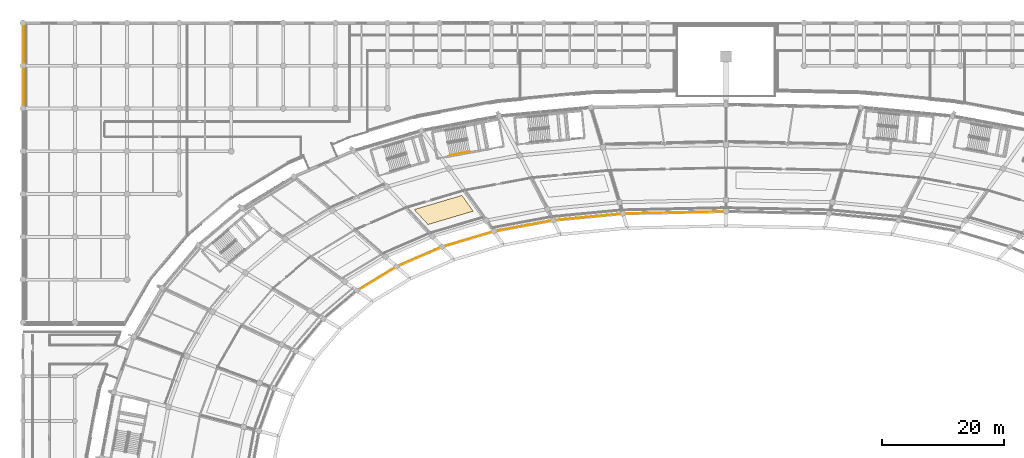
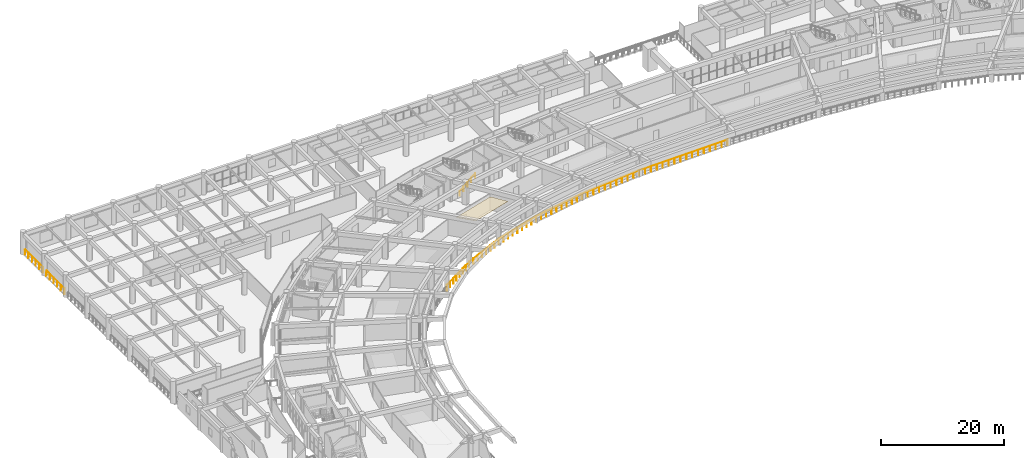
# One storey, part 139 of 145: 4 railings, 1 covering.
"""IFC4 building model written with IfcOpenShell, lengths in metres."""

from ifc_helpers import new_model, si_unit, direction, frame, origin, origin_2d, place, context, subcontext, project, spatial, polyline, circle, outline, extrude, material, layer, layer_set, type_object, element, save


model = new_model("IFC4")

# Units and contexts
model_context = context("Model", 3, precision=1e-05, world=origin(), true_north=direction((0.0, 1.0)))
body_context = subcontext(model_context, "Body", "Model", "MODEL_VIEW")
ifc_project = project(units=[si_unit("LENGTHUNIT", "METRE"), si_unit("AREAUNIT", "SQUARE_METRE"), si_unit("VOLUMEUNIT", "CUBIC_METRE"), si_unit("PLANEANGLEUNIT", "RADIAN"), si_unit("MASSUNIT", "GRAM", prefix="KILO")], contexts=[model_context])

# Site, building, storey
site_placement = place(None, origin())
site = spatial("IfcSite", under=ifc_project, at=site_placement, CompositionType="ELEMENT")
building_placement = place(site_placement, origin())
building = spatial("IfcBuilding", under=site, at=building_placement, Name="Mphavela Belvedere Stadium", CompositionType="ELEMENT")
storey_placement = place(building_placement, frame((0.0, 0.0, 10.199951171875)))
storey = spatial("IfcBuildingStorey", under=building, at=storey_placement, Name="L02", CompositionType="ELEMENT", Elevation=10.199951171875)

# Covering
ifc_material_1 = material(Name="Perforated acoustic mineral ceiling tile")
ifc_layer = layer(ifc_material_1, 0.0400390625)
ifc_layer_set = layer_set([ifc_layer], Name="Perforated acoustic mineral ceiling tile")
covering_type = type_object("IfcCoveringType", Name="COV-CEILING-ACOUSTIC", PredefinedType="CEILING", material=ifc_layer_set)
covering_placement = place(storey_placement, frame((0.0, 0.0, 3.199951171875)))
element("IfcCovering", 1, at=covering_placement, inside=storey, type_object=covering_type, Name="Concourse acoustic ceiling L02-16", PredefinedType="CEILING", context=body_context, shape_type="SweptSolid", body=[
    extrude(outline(polyline([(73.65234375, 143.20751953125), (66.2607421875, 141.013427734375), (63.997802734375, 143.467529296875), (71.802978515625, 145.7841796875), (73.65234375, 143.20751953125)])), origin(), (0.0, 0.0, 1.0), 0.0400390625),
])

# Railings
ifc_material_2 = material(Name="Bronze and laminated glass stadium balustrade", Category="glass")
railing_type_1 = type_object("IfcRailingType", Name="RAL-BALUSTRADE-1120", PredefinedType="BALUSTRADE", material=ifc_material_2)
railing_1_placement = place(storey_placement, frame((115.0, 143.156005859375, 0.0)))
element("IfcRailing", 2, at=railing_1_placement, inside=storey, type_object=railing_type_1, Name="Bowl safety balustrade l02_bowl S3", PredefinedType="BALUSTRADE", context=body_context, shape_type="SweptSolid", body=[
    extrude(circle(Radius=0.02392578125, at=origin_2d()), frame((0.0, 0.0, 1.09619140625), z_axis=(-0.9997681798, -0.021531062658, 0.0), x_axis=(0.021531062658, -0.9997681798, 0.0)), (0.0, 0.0, 1.0), 16.861083984375),
    extrude(circle(Radius=0.02392578125, at=origin_2d()), frame((-16.857177734375, -0.363037109375, 1.09619140625), z_axis=(-0.995485216305, -0.094916722014, 0.0), x_axis=(0.094916722014, -0.995485216305, 0.0)), (0.0, 0.0, 1.0), 11.453857421875),
    extrude(circle(Radius=0.02392578125, at=origin_2d()), frame((-28.25927734375, -1.4501953125, 1.09619140625), z_axis=(-0.983092994202, -0.183106976248, 0.0), x_axis=(0.183106976248, -0.983092994202, 0.0)), (0.0, 0.0, 1.0), 9.869140625),
    extrude(circle(Radius=0.02392578125, at=origin_2d()), frame((-37.961669921875, -3.25732421875, 1.09619140625), z_axis=(-0.958656973737, -0.284564240033, 0.0), x_axis=(0.284564240033, -0.958656973737, 0.0)), (0.0, 0.0, 1.0), 8.854736328125),
    extrude(circle(Radius=0.02392578125, at=origin_2d()), frame((-46.450439453125, -5.777099609375, 1.09619140625), z_axis=(-0.917503251148, -0.397728279273, 0.0), x_axis=(0.397728279273, -0.917503251148, 0.0)), (0.0, 0.0, 1.0), 8.107666015625),
    extrude(circle(Radius=0.02392578125, at=origin_2d()), frame((-53.88916015625, -9.001708984375, 1.09619140625), z_axis=(-0.854325951403, -0.51973759606, 0.0), x_axis=(0.51973759606, -0.854325951403, 0.0)), (0.0, 0.0, 1.0), 7.5478515625),
    extrude(circle(Radius=0.02099609375, at=origin_2d()), origin(), (0.0, 0.0, 1.0), 1.072021484375),
    extrude(circle(Radius=0.02099609375, at=origin_2d()), frame((-1.123779296875, -0.024169921875, 0.0)), (0.0, 0.0, 1.0), 1.072021484375),
    extrude(circle(Radius=0.02099609375, at=origin_2d()), frame((-2.24755859375, -0.04833984375, 0.0)), (0.0, 0.0, 1.0), 1.072021484375),
    extrude(circle(Radius=0.02099609375, at=origin_2d()), frame((-3.371337890625, -0.072509765625, 0.0)), (0.0, 0.0, 1.0), 1.072021484375),
    extrude(circle(Radius=0.02099609375, at=origin_2d()), frame((-4.495361328125, -0.096923828125, 0.0)), (0.0, 0.0, 1.0), 1.072021484375),
    extrude(circle(Radius=0.02099609375, at=origin_2d()), frame((-5.619140625, -0.12109375, 0.0)), (0.0, 0.0, 1.0), 1.072021484375),
    extrude(circle(Radius=0.02099609375, at=origin_2d()), frame((-6.742919921875, -0.145263671875, 0.0)), (0.0, 0.0, 1.0), 1.072021484375),
    extrude(circle(Radius=0.02099609375, at=origin_2d()), frame((-7.86669921875, -0.16943359375, 0.0)), (0.0, 0.0, 1.0), 1.072021484375),
    extrude(circle(Radius=0.02099609375, at=origin_2d()), frame((-8.990478515625, -0.193603515625, 0.0)), (0.0, 0.0, 1.0), 1.072021484375),
    extrude(circle(Radius=0.02099609375, at=origin_2d()), frame((-10.1142578125, -0.2177734375, 0.0)), (0.0, 0.0, 1.0), 1.072021484375),
    extrude(circle(Radius=0.02099609375, at=origin_2d()), frame((-11.238037109375, -0.241943359375, 0.0)), (0.0, 0.0, 1.0), 1.072021484375),
    extrude(circle(Radius=0.02099609375, at=origin_2d()), frame((-12.36181640625, -0.26611328125, 0.0)), (0.0, 0.0, 1.0), 1.072021484375),
    extrude(circle(Radius=0.02099609375, at=origin_2d()), frame((-13.48583984375, -0.29052734375, 0.0)), (0.0, 0.0, 1.0), 1.072021484375),
    extrude(circle(Radius=0.02099609375, at=origin_2d()), frame((-14.609619140625, -0.314697265625, 0.0)), (0.0, 0.0, 1.0), 1.072021484375),
    extrude(circle(Radius=0.02099609375, at=origin_2d()), frame((-15.7333984375, -0.3388671875, 0.0)), (0.0, 0.0, 1.0), 1.072021484375),
    extrude(circle(Radius=0.02099609375, at=origin_2d()), frame((-16.857177734375, -0.363037109375, 0.0)), (0.0, 0.0, 1.0), 1.072021484375),
    extrude(circle(Radius=0.02099609375, at=origin_2d()), frame((-17.997314453125, -0.4716796875, 0.0)), (0.0, 0.0, 1.0), 1.072021484375),
    extrude(circle(Radius=0.02099609375, at=origin_2d()), frame((-19.1376953125, -0.58056640625, 0.0)), (0.0, 0.0, 1.0), 1.072021484375),
    extrude(circle(Radius=0.02099609375, at=origin_2d()), frame((-20.27783203125, -0.689208984375, 0.0)), (0.0, 0.0, 1.0), 1.072021484375),
    extrude(circle(Radius=0.02099609375, at=origin_2d()), frame((-21.41796875, -0.7978515625, 0.0)), (0.0, 0.0, 1.0), 1.072021484375),
    extrude(circle(Radius=0.02099609375, at=origin_2d()), frame((-22.55810546875, -0.90673828125, 0.0)), (0.0, 0.0, 1.0), 1.072021484375),
    extrude(circle(Radius=0.02099609375, at=origin_2d()), frame((-23.698486328125, -1.015380859375, 0.0)), (0.0, 0.0, 1.0), 1.072021484375),
    extrude(circle(Radius=0.02099609375, at=origin_2d()), frame((-24.838623046875, -1.1240234375, 0.0)), (0.0, 0.0, 1.0), 1.072021484375),
    extrude(circle(Radius=0.02099609375, at=origin_2d()), frame((-25.978759765625, -1.232666015625, 0.0)), (0.0, 0.0, 1.0), 1.072021484375),
    extrude(circle(Radius=0.02099609375, at=origin_2d()), frame((-27.119140625, -1.341552734375, 0.0)), (0.0, 0.0, 1.0), 1.072021484375),
    extrude(circle(Radius=0.02099609375, at=origin_2d()), frame((-28.25927734375, -1.4501953125, 0.0)), (0.0, 0.0, 1.0), 1.072021484375),
    extrude(circle(Radius=0.02099609375, at=origin_2d()), frame((-29.33740234375, -1.65087890625, 0.0)), (0.0, 0.0, 1.0), 1.072021484375),
    extrude(circle(Radius=0.02099609375, at=origin_2d()), frame((-30.415283203125, -1.851806640625, 0.0)), (0.0, 0.0, 1.0), 1.072021484375),
    extrude(circle(Radius=0.02099609375, at=origin_2d()), frame((-31.493408203125, -2.052490234375, 0.0)), (0.0, 0.0, 1.0), 1.072021484375),
    extrude(circle(Radius=0.02099609375, at=origin_2d()), frame((-32.571533203125, -2.25341796875, 0.0)), (0.0, 0.0, 1.0), 1.072021484375),
    extrude(circle(Radius=0.02099609375, at=origin_2d()), frame((-33.6494140625, -2.4541015625, 0.0)), (0.0, 0.0, 1.0), 1.072021484375),
    extrude(circle(Radius=0.02099609375, at=origin_2d()), frame((-34.7275390625, -2.655029296875, 0.0)), (0.0, 0.0, 1.0), 1.072021484375),
    extrude(circle(Radius=0.02099609375, at=origin_2d()), frame((-35.8056640625, -2.855712890625, 0.0)), (0.0, 0.0, 1.0), 1.072021484375),
    extrude(circle(Radius=0.02099609375, at=origin_2d()), frame((-36.883544921875, -3.056640625, 0.0)), (0.0, 0.0, 1.0), 1.072021484375),
    extrude(circle(Radius=0.02099609375, at=origin_2d()), frame((-37.961669921875, -3.25732421875, 0.0)), (0.0, 0.0, 1.0), 1.072021484375),
    extrude(circle(Radius=0.02099609375, at=origin_2d()), frame((-39.022705078125, -3.572265625, 0.0)), (0.0, 0.0, 1.0), 1.072021484375),
    extrude(circle(Radius=0.02099609375, at=origin_2d()), frame((-40.083984375, -3.88720703125, 0.0)), (0.0, 0.0, 1.0), 1.072021484375),
    extrude(circle(Radius=0.02099609375, at=origin_2d()), frame((-41.14501953125, -4.2021484375, 0.0)), (0.0, 0.0, 1.0), 1.072021484375),
    extrude(circle(Radius=0.02099609375, at=origin_2d()), frame((-42.2060546875, -4.51708984375, 0.0)), (0.0, 0.0, 1.0), 1.072021484375),
    extrude(circle(Radius=0.02099609375, at=origin_2d()), frame((-43.26708984375, -4.832275390625, 0.0)), (0.0, 0.0, 1.0), 1.072021484375),
    extrude(circle(Radius=0.02099609375, at=origin_2d()), frame((-44.328125, -5.147216796875, 0.0)), (0.0, 0.0, 1.0), 1.072021484375),
    extrude(circle(Radius=0.02099609375, at=origin_2d()), frame((-45.389404296875, -5.462158203125, 0.0)), (0.0, 0.0, 1.0), 1.072021484375),
    extrude(circle(Radius=0.02099609375, at=origin_2d()), frame((-46.450439453125, -5.777099609375, 0.0)), (0.0, 0.0, 1.0), 1.072021484375),
    extrude(circle(Radius=0.02099609375, at=origin_2d()), frame((-47.51318359375, -6.23779296875, 0.0)), (0.0, 0.0, 1.0), 1.072021484375),
    extrude(circle(Radius=0.02099609375, at=origin_2d()), frame((-48.57568359375, -6.698486328125, 0.0)), (0.0, 0.0, 1.0), 1.072021484375),
    extrude(circle(Radius=0.02099609375, at=origin_2d()), frame((-49.638427734375, -7.1591796875, 0.0)), (0.0, 0.0, 1.0), 1.072021484375),
    extrude(circle(Radius=0.02099609375, at=origin_2d()), frame((-50.701171875, -7.61962890625, 0.0)), (0.0, 0.0, 1.0), 1.072021484375),
    extrude(circle(Radius=0.02099609375, at=origin_2d()), frame((-51.763916015625, -8.080322265625, 0.0)), (0.0, 0.0, 1.0), 1.072021484375),
    extrude(circle(Radius=0.02099609375, at=origin_2d()), frame((-52.826416015625, -8.541015625, 0.0)), (0.0, 0.0, 1.0), 1.072021484375),
    extrude(circle(Radius=0.02099609375, at=origin_2d()), frame((-53.88916015625, -9.001708984375, 0.0)), (0.0, 0.0, 1.0), 1.072021484375),
    extrude(circle(Radius=0.02099609375, at=origin_2d()), frame((-54.810302734375, -9.56201171875, 0.0)), (0.0, 0.0, 1.0), 1.072021484375),
    extrude(circle(Radius=0.02099609375, at=origin_2d()), frame((-55.7314453125, -10.12255859375, 0.0)), (0.0, 0.0, 1.0), 1.072021484375),
    extrude(circle(Radius=0.02099609375, at=origin_2d()), frame((-56.652587890625, -10.682861328125, 0.0)), (0.0, 0.0, 1.0), 1.072021484375),
    extrude(circle(Radius=0.02099609375, at=origin_2d()), frame((-57.573974609375, -11.243408203125, 0.0)), (0.0, 0.0, 1.0), 1.072021484375),
    extrude(circle(Radius=0.02099609375, at=origin_2d()), frame((-58.4951171875, -11.8037109375, 0.0)), (0.0, 0.0, 1.0), 1.072021484375),
    extrude(circle(Radius=0.02099609375, at=origin_2d()), frame((-59.416259765625, -12.3642578125, 0.0)), (0.0, 0.0, 1.0), 1.072021484375),
    extrude(circle(Radius=0.02099609375, at=origin_2d()), frame((-60.33740234375, -12.924560546875, 0.0)), (0.0, 0.0, 1.0), 1.072021484375),
])
for number, where, name in (
    (3, (0.080078125, 160.54345703125, 0.0), "Peristyle wing gallery edge balustrade L02-42"),
    (4, (0.080078125, 167.54345703125, 0.0), "Peristyle wing gallery edge balustrade L02-43"),
):
    element("IfcRailing", number, at=place(storey_placement, frame(where)), inside=storey, type_object=railing_type_1, Name=name, PredefinedType="BALUSTRADE", context=body_context, shape_type="SweptSolid", body=[
        extrude(circle(Radius=0.02392578125, at=origin_2d()), frame((0.0, 0.0, 1.09619140625), z_axis=(0.0, 1.0, 0.0), x_axis=(-1.0, 0.0, 0.0)), (0.0, 0.0, 1.0), 5.9130859375),
        extrude(circle(Radius=0.02099609375, at=origin_2d()), origin(), (0.0, 0.0, 1.0), 1.072021484375),
        extrude(circle(Radius=0.02099609375, at=origin_2d()), frame((0.0, 1.1826171875, 0.0)), (0.0, 0.0, 1.0), 1.072021484375),
        extrude(circle(Radius=0.02099609375, at=origin_2d()), frame((0.0, 2.365234375, 0.0)), (0.0, 0.0, 1.0), 1.072021484375),
        extrude(circle(Radius=0.02099609375, at=origin_2d()), frame((0.0, 3.5478515625, 0.0)), (0.0, 0.0, 1.0), 1.072021484375),
        extrude(circle(Radius=0.02099609375, at=origin_2d()), frame((0.0, 4.73046875, 0.0)), (0.0, 0.0, 1.0), 1.072021484375),
        extrude(circle(Radius=0.02099609375, at=origin_2d()), frame((0.0, 5.9130859375, 0.0)), (0.0, 0.0, 1.0), 1.072021484375),
    ])
ifc_material_3 = material(Name="Brushed stainless steel tubular handrail", Category="steel")
railing_type_2 = type_object("IfcRailingType", Name="RAL-HANDRAIL-900", PredefinedType="HANDRAIL", material=ifc_material_3)
railing_2_placement = place(storey_placement, frame((69.827392578125, 152.358642578125, 0.1875)))
element("IfcRailing", 5, at=railing_2_placement, inside=storey, type_object=railing_type_2, Name="L02 ST-C02 stair handrail 1", PredefinedType="HANDRAIL", context=body_context, shape_type="SweptSolid", body=[
    extrude(circle(Radius=0.02392578125, at=origin_2d()), frame((0.0, 0.0, 0.8759765625), z_axis=(0.835218061398, 0.155530252743, 0.527466710226), x_axis=(-0.183068151301, 0.983100224789, 0.0)), (0.0, 0.0, 1.0), 3.91015625),
    extrude(circle(Radius=0.02099609375, at=origin_2d()), origin(), (0.0, 0.0, 1.0), 0.851806640625),
    extrude(circle(Radius=0.02099609375, at=origin_2d()), frame((0.81640625, 0.152099609375, 0.515625)), (0.0, 0.0, 1.0), 0.851806640625),
    extrude(circle(Radius=0.02099609375, at=origin_2d()), frame((1.6328125, 0.30419921875, 1.03125)), (0.0, 0.0, 1.0), 0.851806640625),
    extrude(circle(Radius=0.02099609375, at=origin_2d()), frame((2.449462890625, 0.4560546875, 1.546875)), (0.0, 0.0, 1.0), 0.851806640625),
    extrude(circle(Radius=0.02099609375, at=origin_2d()), frame((3.265869140625, 0.608154296875, 2.0625)), (0.0, 0.0, 1.0), 0.851806640625),
])

save(model, "model.ifc")
